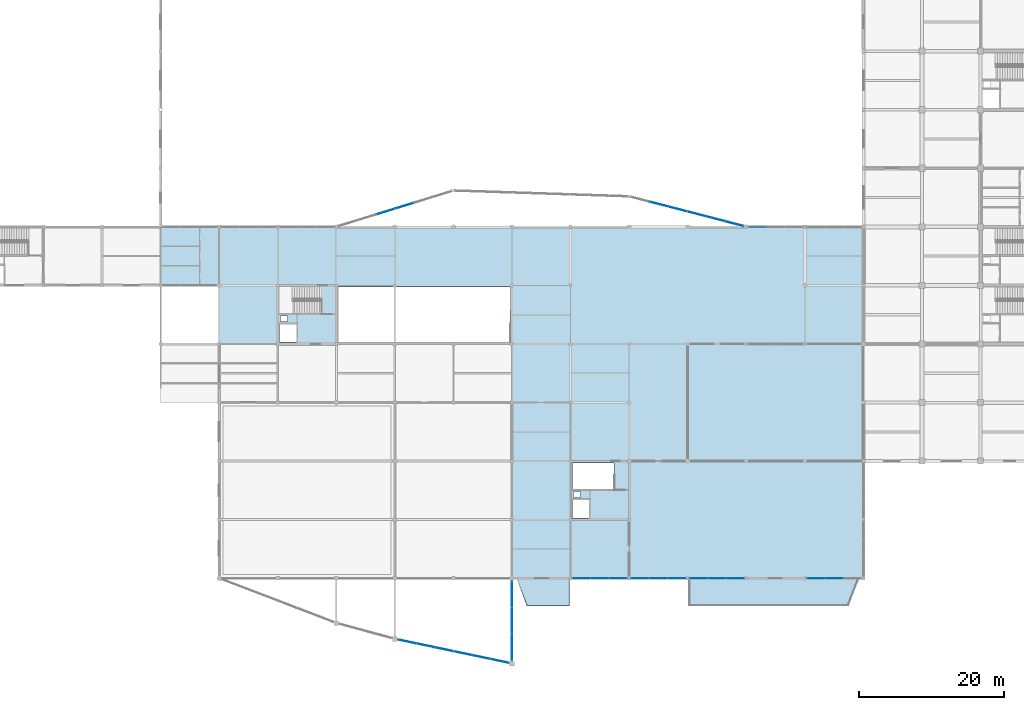
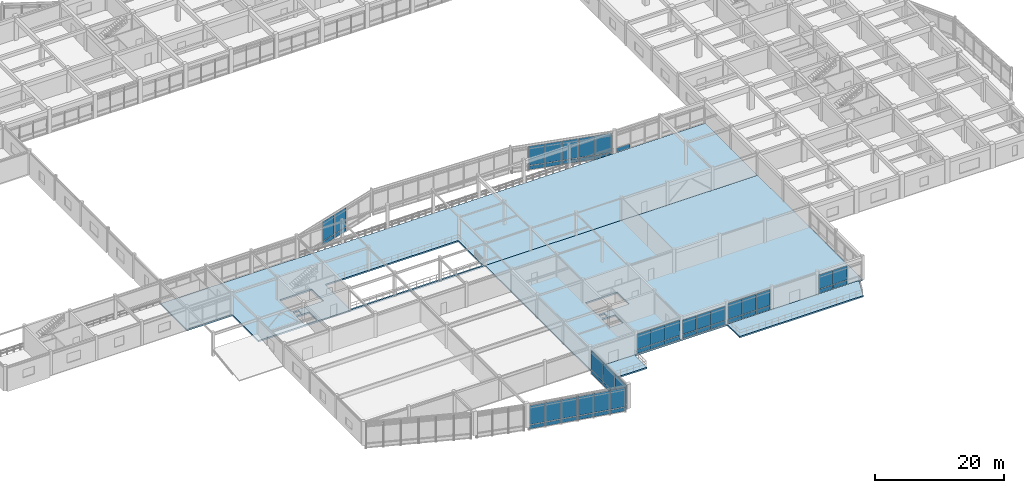
# One storey, part 51 of 93: 55 plates, 4 slabs, 12 elements without a shape of their own.
"""IFC4 building model written with IfcOpenShell, lengths in metres."""

from ifc_helpers import new_model, si_unit, direction, frame, origin, origin_2d, place, context, subcontext, project, spatial, polyline, rectangle, outline, extrude, material, layer, layer_set, type_object, element, aggregate, save


model = new_model("IFC4")

# Units and contexts
model_context = context("Model", 3, precision=1e-05, world=origin(), true_north=direction((0.0, 1.0)))
body_context = subcontext(model_context, "Body", "Model", "MODEL_VIEW")
ifc_project = project(units=[si_unit("LENGTHUNIT", "METRE"), si_unit("AREAUNIT", "SQUARE_METRE"), si_unit("VOLUMEUNIT", "CUBIC_METRE"), si_unit("PLANEANGLEUNIT", "RADIAN"), si_unit("MASSUNIT", "GRAM", prefix="KILO")], contexts=[model_context])

# Site, building, storey
site_placement = place(None, origin())
site = spatial("IfcSite", under=ifc_project, at=site_placement, CompositionType="ELEMENT")
building_placement = place(site_placement, origin())
building = spatial("IfcBuilding", under=site, at=building_placement, Name="Vaudrelin Polytechnic", CompositionType="ELEMENT")
storey_placement = place(building_placement, frame((0.0, 0.0, 5.10009765625)))
storey = spatial("IfcBuildingStorey", under=building, at=storey_placement, Name="L01", CompositionType="ELEMENT", Elevation=5.10009765625)

# Curtain wall, plates
ifc_material_1 = material(Name="Thermally broken anodised aluminium AA 6063-T6 and low-e triple glazing", Category="aluminium")
ifc_layer_1 = layer(ifc_material_1, 0.199951171875)
ifc_layer_set_1 = layer_set([ifc_layer_1], Name="Thermally broken anodised aluminium AA 6063-T6 and low-e triple glazing")
curtain_wall_type_1 = type_object("IfcCurtainWallType", Name="CW-CW-POR", PredefinedType="USERDEFINED", material=ifc_layer_set_1)
curtain_wall_1_placement = place(storey_placement, origin())
curtain_wall_1 = element("IfcCurtainWall", 1, at=curtain_wall_1_placement, inside=storey, type_object=curtain_wall_type_1, Name="Curtain wall L01 S_V3_01", ObjectType="CURTAIN WALL", PredefinedType="USERDEFINED")
ifc_material_2 = material(Name="Insulated ceramic-frit spandrel glass panel", Category="glass")
ifc_layer_2 = layer(ifc_material_2, 0.052001953125)
ifc_layer_set_2 = layer_set([ifc_layer_2], Name="Insulated ceramic-frit spandrel glass panel")
plate_type_1 = type_object("IfcPlateType", Name="PLT-GLZ-SPAND", PredefinedType="CURTAIN_PANEL", material=ifc_layer_set_2)
plate_1_placement = place(storey_placement, frame((90.5986328125, 0.0, 0.08984375), z_axis=(0.0, 0.0, 1.0), x_axis=(1.0, 0.0, 0.0)))
plate_1 = element("IfcPlate", 2, at=plate_1_placement, type_object=plate_type_1, Name="S_V3_01 spandrel panel 1", PredefinedType="CURTAIN_PANEL", context=body_context, shape_type="SweptSolid", body=[
    extrude(rectangle(XDim=2.451416015625, YDim=0.052001953125, at=origin_2d()), origin(), (0.0, 0.0, 1.0), 0.699951171875),
])
plate_2_placement = place(storey_placement, frame((93.14990234375, 0.0, 0.08984375), z_axis=(0.0, 0.0, 1.0), x_axis=(1.0, 0.0, 0.0)))
plate_2 = element("IfcPlate", 3, at=plate_2_placement, type_object=plate_type_1, Name="S_V3_01 spandrel panel 2", PredefinedType="CURTAIN_PANEL", context=body_context, shape_type="SweptSolid", body=[
    extrude(rectangle(XDim=2.451416015625, YDim=0.052001953125, at=origin_2d()), origin(), (0.0, 0.0, 1.0), 0.699951171875),
])
plate_3_placement = place(storey_placement, frame((95.701416015625, 0.0, 0.08984375), z_axis=(0.0, 0.0, 1.0), x_axis=(1.0, 0.0, 0.0)))
plate_3 = element("IfcPlate", 4, at=plate_3_placement, type_object=plate_type_1, Name="S_V3_01 spandrel panel 3", PredefinedType="CURTAIN_PANEL", context=body_context, shape_type="SweptSolid", body=[
    extrude(rectangle(XDim=2.451416015625, YDim=0.052001953125, at=origin_2d()), origin(), (0.0, 0.0, 1.0), 0.699951171875),
])

curtain_wall_2_placement = place(storey_placement, origin())
curtain_wall_2 = element("IfcCurtainWall", 5, at=curtain_wall_2_placement, inside=storey, type_object=curtain_wall_type_1, Name="Curtain wall L01 S_V3_02", ObjectType="CURTAIN WALL", PredefinedType="USERDEFINED")
plate_4_placement = place(storey_placement, frame((98.69873046875, 0.0, 0.08984375), z_axis=(0.0, 0.0, 1.0), x_axis=(1.0, 0.0, 0.0)))
plate_4 = element("IfcPlate", 6, at=plate_4_placement, type_object=plate_type_1, Name="S_V3_02 spandrel panel 1", PredefinedType="CURTAIN_PANEL", context=body_context, shape_type="SweptSolid", body=[
    extrude(rectangle(XDim=2.451416015625, YDim=0.052001953125, at=origin_2d()), origin(), (0.0, 0.0, 1.0), 0.699951171875),
])
plate_5_placement = place(storey_placement, frame((101.25, 0.0, 0.08984375), z_axis=(0.0, 0.0, 1.0), x_axis=(1.0, 0.0, 0.0)))
plate_5 = element("IfcPlate", 7, at=plate_5_placement, type_object=plate_type_1, Name="S_V3_02 spandrel panel 2", PredefinedType="CURTAIN_PANEL", context=body_context, shape_type="SweptSolid", body=[
    extrude(rectangle(XDim=2.451416015625, YDim=0.052001953125, at=origin_2d()), origin(), (0.0, 0.0, 1.0), 0.699951171875),
])
plate_6_placement = place(storey_placement, frame((103.80126953125, 0.0, 0.08984375), z_axis=(0.0, 0.0, 1.0), x_axis=(1.0, 0.0, 0.0)))
plate_6 = element("IfcPlate", 8, at=plate_6_placement, type_object=plate_type_1, Name="S_V3_02 spandrel panel 3", PredefinedType="CURTAIN_PANEL", context=body_context, shape_type="SweptSolid", body=[
    extrude(rectangle(XDim=2.451416015625, YDim=0.052001953125, at=origin_2d()), origin(), (0.0, 0.0, 1.0), 0.699951171875),
])

ifc_layer_3 = layer(ifc_material_1, 0.199951171875)
ifc_layer_set_3 = layer_set([ifc_layer_3], Name="Thermally broken anodised aluminium AA 6063-T6 and low-e triple glazing")
curtain_wall_type_2 = type_object("IfcCurtainWallType", Name="CW-CW-WG", PredefinedType="USERDEFINED", material=ifc_layer_set_3)
curtain_wall_3_placement = place(storey_placement, origin())
curtain_wall_3 = element("IfcCurtainWall", 9, at=curtain_wall_3_placement, inside=storey, type_object=curtain_wall_type_2, Name="Curtain wall L01 S_V3_03", ObjectType="CURTAIN WALL", PredefinedType="USERDEFINED")
plate_7_placement = place(storey_placement, frame((106.798583984375, 0.0, 0.08984375), z_axis=(0.0, 0.0, 1.0), x_axis=(1.0, 0.0, 0.0)))
plate_7 = element("IfcPlate", 10, at=plate_7_placement, type_object=plate_type_1, Name="S_V3_03 spandrel panel 1", PredefinedType="CURTAIN_PANEL", context=body_context, shape_type="SweptSolid", body=[
    extrude(rectangle(XDim=2.451416015625, YDim=0.052001953125, at=origin_2d()), origin(), (0.0, 0.0, 1.0), 0.699951171875),
])
plate_8_placement = place(storey_placement, frame((109.35009765625, 0.0, 0.08984375), z_axis=(0.0, 0.0, 1.0), x_axis=(1.0, 0.0, 0.0)))
plate_8 = element("IfcPlate", 11, at=plate_8_placement, type_object=plate_type_1, Name="S_V3_03 spandrel panel 2", PredefinedType="CURTAIN_PANEL", context=body_context, shape_type="SweptSolid", body=[
    extrude(rectangle(XDim=2.451416015625, YDim=0.052001953125, at=origin_2d()), origin(), (0.0, 0.0, 1.0), 0.699951171875),
])
plate_9_placement = place(storey_placement, frame((111.9013671875, 0.0, 0.08984375), z_axis=(0.0, 0.0, 1.0), x_axis=(1.0, 0.0, 0.0)))
plate_9 = element("IfcPlate", 12, at=plate_9_placement, type_object=plate_type_1, Name="S_V3_03 spandrel panel 3", PredefinedType="CURTAIN_PANEL", context=body_context, shape_type="SweptSolid", body=[
    extrude(rectangle(XDim=2.451416015625, YDim=0.052001953125, at=origin_2d()), origin(), (0.0, 0.0, 1.0), 0.699951171875),
])

curtain_wall_4_placement = place(storey_placement, origin())
curtain_wall_4 = element("IfcCurtainWall", 13, at=curtain_wall_4_placement, inside=storey, type_object=curtain_wall_type_2, Name="Curtain wall L01 S_V3_05", ObjectType="CURTAIN WALL", PredefinedType="USERDEFINED")
plate_10_placement = place(storey_placement, frame((123.061279296875, 0.0, 0.08984375), z_axis=(0.0, 0.0, 1.0), x_axis=(1.0, 0.0, 0.0)))
plate_10 = element("IfcPlate", 14, at=plate_10_placement, type_object=plate_type_1, Name="S_V3_05 spandrel panel 1", PredefinedType="CURTAIN_PANEL", context=body_context, shape_type="SweptSolid", body=[
    extrude(rectangle(XDim=2.42626953125, YDim=0.052001953125, at=origin_2d()), origin(), (0.0, 0.0, 1.0), 0.699951171875),
])
plate_11_placement = place(storey_placement, frame((125.58740234375, 0.0, 0.08984375), z_axis=(0.0, 0.0, 1.0), x_axis=(1.0, 0.0, 0.0)))
plate_11 = element("IfcPlate", 15, at=plate_11_placement, type_object=plate_type_1, Name="S_V3_05 spandrel panel 2", PredefinedType="CURTAIN_PANEL", context=body_context, shape_type="SweptSolid", body=[
    extrude(rectangle(XDim=2.42626953125, YDim=0.052001953125, at=origin_2d()), origin(), (0.0, 0.0, 1.0), 0.699951171875),
])

# Curtain wall, plate
curtain_wall_5_placement = place(storey_placement, origin())
curtain_wall_5 = element("IfcCurtainWall", 16, at=curtain_wall_5_placement, inside=storey, type_object=curtain_wall_type_2, Name="Curtain wall L01 CT_S_10", ObjectType="CURTAIN WALL", PredefinedType="USERDEFINED")
plate_12_placement = place(storey_placement, frame((114.961181640625, 48.60009765625, 0.08984375), z_axis=(0.0, 0.0, 1.0), x_axis=(1.0, 0.0, 0.0)))
plate_12 = element("IfcPlate", 17, at=plate_12_placement, type_object=plate_type_1, Name="CT_S_10 spandrel panel 1", PredefinedType="CURTAIN_PANEL", context=body_context, shape_type="SweptSolid", body=[
    extrude(rectangle(XDim=2.42626953125, YDim=0.052001953125, at=origin_2d()), origin(), (0.0, 0.0, 1.0), 0.699951171875),
])
aggregate(curtain_wall_5, [plate_12])

# Curtain wall, plates
curtain_wall_6_placement = place(storey_placement, origin())
curtain_wall_6 = element("IfcCurtainWall", 18, at=curtain_wall_6_placement, inside=storey, type_object=curtain_wall_type_2, Name="Curtain wall L01 V2P_3_0", ObjectType="CURTAIN WALL", PredefinedType="USERDEFINED")
plate_13_placement = place(storey_placement, frame((66.490234375, -8.754638671875, -0.5400390625), z_axis=(0.0, 0.0, 1.0), x_axis=(0.978678517459, -0.205398051265, 0.0)))
plate_13 = element("IfcPlate", 19, at=plate_13_placement, type_object=plate_type_1, Name="V2P_3_0 spandrel panel 1", PredefinedType="CURTAIN_PANEL", context=body_context, shape_type="SweptSolid", body=[
    extrude(rectangle(XDim=2.519775390625, YDim=0.052001953125, at=origin_2d()), origin(), (0.0, 0.0, 1.0), 0.699951171875),
])
plate_14_placement = place(storey_placement, frame((69.05419921875, -9.292724609375, -0.5400390625), z_axis=(0.0, 0.0, 1.0), x_axis=(0.978678517459, -0.205398051265, 0.0)))
plate_14 = element("IfcPlate", 20, at=plate_14_placement, type_object=plate_type_1, Name="V2P_3_0 spandrel panel 2", PredefinedType="CURTAIN_PANEL", context=body_context, shape_type="SweptSolid", body=[
    extrude(rectangle(XDim=2.519775390625, YDim=0.052001953125, at=origin_2d()), origin(), (0.0, 0.0, 1.0), 0.699951171875),
])
plate_15_placement = place(storey_placement, frame((71.617919921875, -9.830810546875, -0.5400390625), z_axis=(0.0, 0.0, 1.0), x_axis=(0.978678517459, -0.205398051265, 0.0)))
plate_15 = element("IfcPlate", 21, at=plate_15_placement, type_object=plate_type_1, Name="V2P_3_0 spandrel panel 3", PredefinedType="CURTAIN_PANEL", context=body_context, shape_type="SweptSolid", body=[
    extrude(rectangle(XDim=2.519775390625, YDim=0.052001953125, at=origin_2d()), origin(), (0.0, 0.0, 1.0), 0.699951171875),
])

curtain_wall_7_placement = place(storey_placement, origin())
curtain_wall_7 = element("IfcCurtainWall", 22, at=curtain_wall_7_placement, inside=storey, type_object=curtain_wall_type_2, Name="Curtain wall L01 V2P_3_1", ObjectType="CURTAIN WALL", PredefinedType="USERDEFINED")
plate_16_placement = place(storey_placement, frame((74.181884765625, -10.368896484375, -0.5400390625), z_axis=(0.0, 0.0, 1.0), x_axis=(0.978678517459, -0.205398051265, 0.0)))
plate_16 = element("IfcPlate", 23, at=plate_16_placement, type_object=plate_type_1, Name="V2P_3_1 spandrel panel 1", PredefinedType="CURTAIN_PANEL", context=body_context, shape_type="SweptSolid", body=[
    extrude(rectangle(XDim=2.519775390625, YDim=0.052001953125, at=origin_2d()), origin(), (0.0, 0.0, 1.0), 0.699951171875),
])
plate_17_placement = place(storey_placement, frame((76.745849609375, -10.906982421875, -0.5400390625), z_axis=(0.0, 0.0, 1.0), x_axis=(0.978678517459, -0.205398051265, 0.0)))
plate_17 = element("IfcPlate", 24, at=plate_17_placement, type_object=plate_type_1, Name="V2P_3_1 spandrel panel 2", PredefinedType="CURTAIN_PANEL", context=body_context, shape_type="SweptSolid", body=[
    extrude(rectangle(XDim=2.519775390625, YDim=0.052001953125, at=origin_2d()), origin(), (0.0, 0.0, 1.0), 0.699951171875),
])
plate_18_placement = place(storey_placement, frame((79.309814453125, -11.4453125, -0.5400390625), z_axis=(0.0, 0.0, 1.0), x_axis=(0.978678517459, -0.205398051265, 0.0)))
plate_18 = element("IfcPlate", 25, at=plate_18_placement, type_object=plate_type_1, Name="V2P_3_1 spandrel panel 3", PredefinedType="CURTAIN_PANEL", context=body_context, shape_type="SweptSolid", body=[
    extrude(rectangle(XDim=2.519775390625, YDim=0.052001953125, at=origin_2d()), origin(), (0.0, 0.0, 1.0), 0.699951171875),
])

curtain_wall_8_placement = place(storey_placement, origin())
curtain_wall_8 = element("IfcCurtainWall", 26, at=curtain_wall_8_placement, inside=storey, type_object=curtain_wall_type_2, Name="Curtain wall L01 V2P_4_0", ObjectType="CURTAIN WALL", PredefinedType="USERDEFINED")
plate_19_placement = place(storey_placement, frame((81.0, -9.555908203125, -0.5400390625), z_axis=(0.0, 0.0, 1.0), x_axis=(0.0, 1.0, 0.0)))
plate_19 = element("IfcPlate", 27, at=plate_19_placement, type_object=plate_type_1, Name="V2P_4_0 spandrel panel 1", PredefinedType="CURTAIN_PANEL", context=body_context, shape_type="SweptSolid", body=[
    extrude(rectangle(XDim=3.568359375, YDim=0.052001953125, at=origin_2d()), origin(), (0.0, 0.0, 1.0), 0.699951171875),
])
plate_20_placement = place(storey_placement, frame((81.0, -5.887451171875, -0.5400390625), z_axis=(0.0, 0.0, 1.0), x_axis=(0.0, 1.0, 0.0)))
plate_20 = element("IfcPlate", 28, at=plate_20_placement, type_object=plate_type_1, Name="V2P_4_0 spandrel panel 2", PredefinedType="CURTAIN_PANEL", context=body_context, shape_type="SweptSolid", body=[
    extrude(rectangle(XDim=3.568359375, YDim=0.052001953125, at=origin_2d()), origin(), (0.0, 0.0, 1.0), 0.699951171875),
])
plate_21_placement = place(storey_placement, frame((81.0, -2.21923828125, -0.5400390625), z_axis=(0.0, 0.0, 1.0), x_axis=(0.0, 1.0, 0.0)))
plate_21 = element("IfcPlate", 29, at=plate_21_placement, type_object=plate_type_1, Name="V2P_4_0 spandrel panel 3", PredefinedType="CURTAIN_PANEL", context=body_context, shape_type="SweptSolid", body=[
    extrude(rectangle(XDim=3.568359375, YDim=0.052001953125, at=origin_2d()), origin(), (0.0, 0.0, 1.0), 0.699951171875),
])

# Curtain wall, plate
curtain_wall_9_placement = place(storey_placement, origin())
curtain_wall_9 = element("IfcCurtainWall", 30, at=curtain_wall_9_placement, inside=storey, type_object=curtain_wall_type_2, Name="Curtain wall L01 CT_OR1_1_0", ObjectType="CURTAIN WALL", PredefinedType="USERDEFINED")
plate_22_placement = place(storey_placement, frame((63.53125, 50.70849609375, -0.5400390625), z_axis=(0.0, 0.0, 1.0), x_axis=(0.955523502988, 0.294914962723, 0.0)))
plate_22 = element("IfcPlate", 31, at=plate_22_placement, type_object=plate_type_1, Name="CT_OR1_1_0 spandrel panel 3", PredefinedType="CURTAIN_PANEL", context=body_context, shape_type="SweptSolid", body=[
    extrude(rectangle(XDim=2.631591796875, YDim=0.052001953125, at=origin_2d()), origin(), (0.0, 0.0, 1.0), 0.699951171875),
])

curtain_wall_10_placement = place(storey_placement, origin())
curtain_wall_10 = element("IfcCurtainWall", 32, at=curtain_wall_10_placement, inside=storey, type_object=curtain_wall_type_2, Name="Curtain wall L01 CT_OR1_1_1", ObjectType="CURTAIN WALL", PredefinedType="USERDEFINED")
plate_23_placement = place(storey_placement, frame((66.141357421875, 51.513916015625, -0.5400390625), z_axis=(0.0, 0.0, 1.0), x_axis=(0.955522441596, 0.294918401608, 0.0)))
plate_23 = element("IfcPlate", 33, at=plate_23_placement, type_object=plate_type_1, Name="CT_OR1_1_1 spandrel panel 1", PredefinedType="CURTAIN_PANEL", context=body_context, shape_type="SweptSolid", body=[
    extrude(rectangle(XDim=2.631591796875, YDim=0.052001953125, at=origin_2d()), origin(), (0.0, 0.0, 1.0), 0.699951171875),
])

# Curtain wall, plates
curtain_wall_11_placement = place(storey_placement, origin())
curtain_wall_11 = element("IfcCurtainWall", 34, at=curtain_wall_11_placement, inside=storey, type_object=curtain_wall_type_2, Name="Curtain wall L01 CT_OR1_3_0", ObjectType="CURTAIN WALL", PredefinedType="USERDEFINED")
plate_24_placement = place(storey_placement, frame((101.33056640625, 51.72900390625, -0.5400390625), z_axis=(0.0, 0.0, 1.0), x_axis=(0.967996674598, -0.250963021115, 0.0)))
plate_24 = element("IfcPlate", 35, at=plate_24_placement, type_object=plate_type_1, Name="CT_OR1_3_0 spandrel panel 2", PredefinedType="CURTAIN_PANEL", context=body_context, shape_type="SweptSolid", body=[
    extrude(rectangle(XDim=2.5830078125, YDim=0.052001953125, at=origin_2d()), origin(), (0.0, 0.0, 1.0), 0.699951171875),
])
plate_25_placement = place(storey_placement, frame((103.927490234375, 51.055908203125, -0.5400390625), z_axis=(0.0, 0.0, 1.0), x_axis=(0.967996674598, -0.250963021115, 0.0)))
plate_25 = element("IfcPlate", 36, at=plate_25_placement, type_object=plate_type_1, Name="CT_OR1_3_0 spandrel panel 3", PredefinedType="CURTAIN_PANEL", context=body_context, shape_type="SweptSolid", body=[
    extrude(rectangle(XDim=2.5830078125, YDim=0.052001953125, at=origin_2d()), origin(), (0.0, 0.0, 1.0), 0.699951171875),
])

curtain_wall_12_placement = place(storey_placement, origin())
curtain_wall_12 = element("IfcCurtainWall", 37, at=curtain_wall_12_placement, inside=storey, type_object=curtain_wall_type_2, Name="Curtain wall L01 CT_OR1_3_1", ObjectType="CURTAIN WALL", PredefinedType="USERDEFINED")
plate_26_placement = place(storey_placement, frame((106.52490234375, 50.38232421875, -0.5400390625), z_axis=(0.0, 0.0, 1.0), x_axis=(0.967997457073, -0.250960002989, 0.0)))
plate_26 = element("IfcPlate", 38, at=plate_26_placement, type_object=plate_type_1, Name="CT_OR1_3_1 spandrel panel 1", PredefinedType="CURTAIN_PANEL", context=body_context, shape_type="SweptSolid", body=[
    extrude(rectangle(XDim=2.5830078125, YDim=0.052001953125, at=origin_2d()), origin(), (0.0, 0.0, 1.0), 0.699951171875),
])
plate_27_placement = place(storey_placement, frame((109.121826171875, 49.708984375, -0.5400390625), z_axis=(0.0, 0.0, 1.0), x_axis=(0.967997457073, -0.250960002989, 0.0)))
plate_27 = element("IfcPlate", 39, at=plate_27_placement, type_object=plate_type_1, Name="CT_OR1_3_1 spandrel panel 2", PredefinedType="CURTAIN_PANEL", context=body_context, shape_type="SweptSolid", body=[
    extrude(rectangle(XDim=2.5830078125, YDim=0.052001953125, at=origin_2d()), origin(), (0.0, 0.0, 1.0), 0.699951171875),
])
plate_28_placement = place(storey_placement, frame((111.718994140625, 49.035888671875, -0.5400390625), z_axis=(0.0, 0.0, 1.0), x_axis=(0.967997457073, -0.250960002989, 0.0)))
plate_28 = element("IfcPlate", 40, at=plate_28_placement, type_object=plate_type_1, Name="CT_OR1_3_1 spandrel panel 3", PredefinedType="CURTAIN_PANEL", context=body_context, shape_type="SweptSolid", body=[
    extrude(rectangle(XDim=2.5830078125, YDim=0.052001953125, at=origin_2d()), origin(), (0.0, 0.0, 1.0), 0.699951171875),
])

# Plate
ifc_material_3 = material(Name="Triple low-e argon insulated glazing unit", Category="glass")
ifc_layer_4 = layer(ifc_material_3, 0.0439453125)
ifc_layer_set_4 = layer_set([ifc_layer_4], Name="Triple low-e argon insulated glazing unit")
plate_type_2 = type_object("IfcPlateType", Name="PLT-GLZ-TRIPLE", PredefinedType="CURTAIN_PANEL", material=ifc_layer_set_4)
plate_29_placement = place(storey_placement, frame((90.5986328125, 0.0, 0.89990234375), z_axis=(0.0, 0.0, 1.0), x_axis=(1.0, 0.0, 0.0)))
plate_29 = element("IfcPlate", 41, at=plate_29_placement, type_object=plate_type_2, Name="S_V3_01 vision panel 1", PredefinedType="CURTAIN_PANEL", context=body_context, shape_type="SweptSolid", body=[
    extrude(rectangle(XDim=2.451416015625, YDim=0.0439453125, at=origin_2d()), origin(), (0.0, 0.0, 1.0), 2.85205078125),
])

plate_30_placement = place(storey_placement, frame((93.14990234375, 0.0, 0.89990234375), z_axis=(0.0, 0.0, 1.0), x_axis=(1.0, 0.0, 0.0)))
plate_30 = element("IfcPlate", 42, at=plate_30_placement, type_object=plate_type_2, Name="S_V3_01 vision panel 2", PredefinedType="CURTAIN_PANEL", context=body_context, shape_type="SweptSolid", body=[
    extrude(rectangle(XDim=2.451416015625, YDim=0.0439453125, at=origin_2d()), origin(), (0.0, 0.0, 1.0), 2.85205078125),
])

plate_31_placement = place(storey_placement, frame((95.701416015625, 0.0, 0.89990234375), z_axis=(0.0, 0.0, 1.0), x_axis=(1.0, 0.0, 0.0)))
plate_31 = element("IfcPlate", 43, at=plate_31_placement, type_object=plate_type_2, Name="S_V3_01 vision panel 3", PredefinedType="CURTAIN_PANEL", context=body_context, shape_type="SweptSolid", body=[
    extrude(rectangle(XDim=2.451416015625, YDim=0.0439453125, at=origin_2d()), origin(), (0.0, 0.0, 1.0), 2.85205078125),
])

aggregate(curtain_wall_1, [plate_1, plate_29, plate_2, plate_30, plate_3, plate_31])

plate_32_placement = place(storey_placement, frame((98.69873046875, 0.0, 0.89990234375), z_axis=(0.0, 0.0, 1.0), x_axis=(1.0, 0.0, 0.0)))
plate_32 = element("IfcPlate", 44, at=plate_32_placement, type_object=plate_type_2, Name="S_V3_02 vision panel 1", PredefinedType="CURTAIN_PANEL", context=body_context, shape_type="SweptSolid", body=[
    extrude(rectangle(XDim=2.451416015625, YDim=0.0439453125, at=origin_2d()), origin(), (0.0, 0.0, 1.0), 2.662109375),
])

plate_33_placement = place(storey_placement, frame((101.25, 0.0, 0.89990234375), z_axis=(0.0, 0.0, 1.0), x_axis=(1.0, 0.0, 0.0)))
plate_33 = element("IfcPlate", 45, at=plate_33_placement, type_object=plate_type_2, Name="S_V3_02 vision panel 2", PredefinedType="CURTAIN_PANEL", context=body_context, shape_type="SweptSolid", body=[
    extrude(rectangle(XDim=2.451416015625, YDim=0.0439453125, at=origin_2d()), origin(), (0.0, 0.0, 1.0), 2.662109375),
])

plate_34_placement = place(storey_placement, frame((103.80126953125, 0.0, 0.89990234375), z_axis=(0.0, 0.0, 1.0), x_axis=(1.0, 0.0, 0.0)))
plate_34 = element("IfcPlate", 46, at=plate_34_placement, type_object=plate_type_2, Name="S_V3_02 vision panel 3", PredefinedType="CURTAIN_PANEL", context=body_context, shape_type="SweptSolid", body=[
    extrude(rectangle(XDim=2.451416015625, YDim=0.0439453125, at=origin_2d()), origin(), (0.0, 0.0, 1.0), 2.662109375),
])

aggregate(curtain_wall_2, [plate_4, plate_32, plate_5, plate_33, plate_6, plate_34])

plate_35_placement = place(storey_placement, frame((106.798583984375, 0.0, 0.89990234375), z_axis=(0.0, 0.0, 1.0), x_axis=(1.0, 0.0, 0.0)))
plate_35 = element("IfcPlate", 47, at=plate_35_placement, type_object=plate_type_2, Name="S_V3_03 vision panel 1", PredefinedType="CURTAIN_PANEL", context=body_context, shape_type="SweptSolid", body=[
    extrude(rectangle(XDim=2.451416015625, YDim=0.0439453125, at=origin_2d()), origin(), (0.0, 0.0, 1.0), 2.9541015625),
])

plate_36_placement = place(storey_placement, frame((109.35009765625, 0.0, 0.89990234375), z_axis=(0.0, 0.0, 1.0), x_axis=(1.0, 0.0, 0.0)))
plate_36 = element("IfcPlate", 48, at=plate_36_placement, type_object=plate_type_2, Name="S_V3_03 vision panel 2", PredefinedType="CURTAIN_PANEL", context=body_context, shape_type="SweptSolid", body=[
    extrude(rectangle(XDim=2.451416015625, YDim=0.0439453125, at=origin_2d()), origin(), (0.0, 0.0, 1.0), 2.9541015625),
])

plate_37_placement = place(storey_placement, frame((111.9013671875, 0.0, 0.89990234375), z_axis=(0.0, 0.0, 1.0), x_axis=(1.0, 0.0, 0.0)))
plate_37 = element("IfcPlate", 49, at=plate_37_placement, type_object=plate_type_2, Name="S_V3_03 vision panel 3", PredefinedType="CURTAIN_PANEL", context=body_context, shape_type="SweptSolid", body=[
    extrude(rectangle(XDim=2.451416015625, YDim=0.0439453125, at=origin_2d()), origin(), (0.0, 0.0, 1.0), 2.9541015625),
])

aggregate(curtain_wall_3, [plate_7, plate_35, plate_8, plate_36, plate_9, plate_37])

plate_38_placement = place(storey_placement, frame((123.061279296875, 0.0, 0.89990234375), z_axis=(0.0, 0.0, 1.0), x_axis=(1.0, 0.0, 0.0)))
plate_38 = element("IfcPlate", 50, at=plate_38_placement, type_object=plate_type_2, Name="S_V3_05 vision panel 1", PredefinedType="CURTAIN_PANEL", context=body_context, shape_type="SweptSolid", body=[
    extrude(rectangle(XDim=2.42626953125, YDim=0.0439453125, at=origin_2d()), origin(), (0.0, 0.0, 1.0), 2.662109375),
])

plate_39_placement = place(storey_placement, frame((125.58740234375, 0.0, 0.89990234375), z_axis=(0.0, 0.0, 1.0), x_axis=(1.0, 0.0, 0.0)))
plate_39 = element("IfcPlate", 51, at=plate_39_placement, type_object=plate_type_2, Name="S_V3_05 vision panel 2", PredefinedType="CURTAIN_PANEL", context=body_context, shape_type="SweptSolid", body=[
    extrude(rectangle(XDim=2.42626953125, YDim=0.0439453125, at=origin_2d()), origin(), (0.0, 0.0, 1.0), 2.662109375),
])

aggregate(curtain_wall_4, [plate_10, plate_38, plate_11, plate_39])

plate_40_placement = place(storey_placement, frame((66.490234375, -8.754638671875, 0.27001953125), z_axis=(0.0, 0.0, 1.0), x_axis=(0.978678517459, -0.205398051265, 0.0)))
plate_40 = element("IfcPlate", 52, at=plate_40_placement, type_object=plate_type_2, Name="V2P_3_0 vision panel 1", PredefinedType="CURTAIN_PANEL", context=body_context, shape_type="SweptSolid", body=[
    extrude(rectangle(XDim=2.519775390625, YDim=0.0439453125, at=origin_2d()), origin(), (0.0, 0.0, 1.0), 3.610107421875),
])

plate_41_placement = place(storey_placement, frame((69.05419921875, -9.292724609375, 0.27001953125), z_axis=(0.0, 0.0, 1.0), x_axis=(0.978678517459, -0.205398051265, 0.0)))
plate_41 = element("IfcPlate", 53, at=plate_41_placement, type_object=plate_type_2, Name="V2P_3_0 vision panel 2", PredefinedType="CURTAIN_PANEL", context=body_context, shape_type="SweptSolid", body=[
    extrude(rectangle(XDim=2.519775390625, YDim=0.0439453125, at=origin_2d()), origin(), (0.0, 0.0, 1.0), 3.610107421875),
])

plate_42_placement = place(storey_placement, frame((71.617919921875, -9.830810546875, 0.27001953125), z_axis=(0.0, 0.0, 1.0), x_axis=(0.978678517459, -0.205398051265, 0.0)))
plate_42 = element("IfcPlate", 54, at=plate_42_placement, type_object=plate_type_2, Name="V2P_3_0 vision panel 3", PredefinedType="CURTAIN_PANEL", context=body_context, shape_type="SweptSolid", body=[
    extrude(rectangle(XDim=2.519775390625, YDim=0.0439453125, at=origin_2d()), origin(), (0.0, 0.0, 1.0), 3.610107421875),
])

aggregate(curtain_wall_6, [plate_13, plate_40, plate_14, plate_41, plate_15, plate_42])

plate_43_placement = place(storey_placement, frame((74.181884765625, -10.368896484375, 0.27001953125), z_axis=(0.0, 0.0, 1.0), x_axis=(0.978678517459, -0.205398051265, 0.0)))
plate_43 = element("IfcPlate", 55, at=plate_43_placement, type_object=plate_type_2, Name="V2P_3_1 vision panel 1", PredefinedType="CURTAIN_PANEL", context=body_context, shape_type="SweptSolid", body=[
    extrude(rectangle(XDim=2.519775390625, YDim=0.0439453125, at=origin_2d()), origin(), (0.0, 0.0, 1.0), 3.610107421875),
])

plate_44_placement = place(storey_placement, frame((76.745849609375, -10.906982421875, 0.27001953125), z_axis=(0.0, 0.0, 1.0), x_axis=(0.978678517459, -0.205398051265, 0.0)))
plate_44 = element("IfcPlate", 56, at=plate_44_placement, type_object=plate_type_2, Name="V2P_3_1 vision panel 2", PredefinedType="CURTAIN_PANEL", context=body_context, shape_type="SweptSolid", body=[
    extrude(rectangle(XDim=2.519775390625, YDim=0.0439453125, at=origin_2d()), origin(), (0.0, 0.0, 1.0), 3.610107421875),
])

plate_45_placement = place(storey_placement, frame((79.309814453125, -11.4453125, 0.27001953125), z_axis=(0.0, 0.0, 1.0), x_axis=(0.978678517459, -0.205398051265, 0.0)))
plate_45 = element("IfcPlate", 57, at=plate_45_placement, type_object=plate_type_2, Name="V2P_3_1 vision panel 3", PredefinedType="CURTAIN_PANEL", context=body_context, shape_type="SweptSolid", body=[
    extrude(rectangle(XDim=2.519775390625, YDim=0.0439453125, at=origin_2d()), origin(), (0.0, 0.0, 1.0), 3.610107421875),
])

aggregate(curtain_wall_7, [plate_16, plate_43, plate_17, plate_44, plate_18, plate_45])

plate_46_placement = place(storey_placement, frame((81.0, -9.555908203125, 0.27001953125), z_axis=(0.0, 0.0, 1.0), x_axis=(0.0, 1.0, 0.0)))
plate_46 = element("IfcPlate", 58, at=plate_46_placement, type_object=plate_type_2, Name="V2P_4_0 vision panel 1", PredefinedType="CURTAIN_PANEL", context=body_context, shape_type="SweptSolid", body=[
    extrude(rectangle(XDim=3.568359375, YDim=0.0439453125, at=origin_2d()), origin(), (0.0, 0.0, 1.0), 3.610107421875),
])

plate_47_placement = place(storey_placement, frame((81.0, -5.887451171875, 0.27001953125), z_axis=(0.0, 0.0, 1.0), x_axis=(0.0, 1.0, 0.0)))
plate_47 = element("IfcPlate", 59, at=plate_47_placement, type_object=plate_type_2, Name="V2P_4_0 vision panel 2", PredefinedType="CURTAIN_PANEL", context=body_context, shape_type="SweptSolid", body=[
    extrude(rectangle(XDim=3.568359375, YDim=0.0439453125, at=origin_2d()), origin(), (0.0, 0.0, 1.0), 3.610107421875),
])

plate_48_placement = place(storey_placement, frame((81.0, -2.21923828125, 0.27001953125), z_axis=(0.0, 0.0, 1.0), x_axis=(0.0, 1.0, 0.0)))
plate_48 = element("IfcPlate", 60, at=plate_48_placement, type_object=plate_type_2, Name="V2P_4_0 vision panel 3", PredefinedType="CURTAIN_PANEL", context=body_context, shape_type="SweptSolid", body=[
    extrude(rectangle(XDim=3.568359375, YDim=0.0439453125, at=origin_2d()), origin(), (0.0, 0.0, 1.0), 3.610107421875),
])

aggregate(curtain_wall_8, [plate_19, plate_46, plate_20, plate_47, plate_21, plate_48])

plate_49_placement = place(storey_placement, frame((63.53125, 50.70849609375, 0.27001953125), z_axis=(0.0, 0.0, 1.0), x_axis=(0.955523502988, 0.294914962723, 0.0)))
plate_49 = element("IfcPlate", 61, at=plate_49_placement, type_object=plate_type_2, Name="CT_OR1_1_0 vision panel 3", PredefinedType="CURTAIN_PANEL", context=body_context, shape_type="SweptSolid", body=[
    extrude(rectangle(XDim=2.631591796875, YDim=0.0439453125, at=origin_2d()), origin(), (0.0, 0.0, 1.0), 3.610107421875),
])

aggregate(curtain_wall_9, [plate_22, plate_49])

plate_50_placement = place(storey_placement, frame((66.141357421875, 51.513916015625, 0.27001953125), z_axis=(0.0, 0.0, 1.0), x_axis=(0.955522441596, 0.294918401608, 0.0)))
plate_50 = element("IfcPlate", 62, at=plate_50_placement, type_object=plate_type_2, Name="CT_OR1_1_1 vision panel 1", PredefinedType="CURTAIN_PANEL", context=body_context, shape_type="SweptSolid", body=[
    extrude(rectangle(XDim=2.631591796875, YDim=0.0439453125, at=origin_2d()), origin(), (0.0, 0.0, 1.0), 3.610107421875),
])

aggregate(curtain_wall_10, [plate_23, plate_50])

plate_51_placement = place(storey_placement, frame((101.33056640625, 51.72900390625, 0.27001953125), z_axis=(0.0, 0.0, 1.0), x_axis=(0.967996674598, -0.250963021115, 0.0)))
plate_51 = element("IfcPlate", 63, at=plate_51_placement, type_object=plate_type_2, Name="CT_OR1_3_0 vision panel 2", PredefinedType="CURTAIN_PANEL", context=body_context, shape_type="SweptSolid", body=[
    extrude(rectangle(XDim=2.5830078125, YDim=0.0439453125, at=origin_2d()), origin(), (0.0, 0.0, 1.0), 3.610107421875),
])

plate_52_placement = place(storey_placement, frame((103.927490234375, 51.055908203125, 0.27001953125), z_axis=(0.0, 0.0, 1.0), x_axis=(0.967996674598, -0.250963021115, 0.0)))
plate_52 = element("IfcPlate", 64, at=plate_52_placement, type_object=plate_type_2, Name="CT_OR1_3_0 vision panel 3", PredefinedType="CURTAIN_PANEL", context=body_context, shape_type="SweptSolid", body=[
    extrude(rectangle(XDim=2.5830078125, YDim=0.0439453125, at=origin_2d()), origin(), (0.0, 0.0, 1.0), 3.610107421875),
])

aggregate(curtain_wall_11, [plate_24, plate_51, plate_25, plate_52])

plate_53_placement = place(storey_placement, frame((106.52490234375, 50.38232421875, 0.27001953125), z_axis=(0.0, 0.0, 1.0), x_axis=(0.967997457073, -0.250960002989, 0.0)))
plate_53 = element("IfcPlate", 65, at=plate_53_placement, type_object=plate_type_2, Name="CT_OR1_3_1 vision panel 1", PredefinedType="CURTAIN_PANEL", context=body_context, shape_type="SweptSolid", body=[
    extrude(rectangle(XDim=2.5830078125, YDim=0.0439453125, at=origin_2d()), origin(), (0.0, 0.0, 1.0), 3.610107421875),
])

plate_54_placement = place(storey_placement, frame((109.121826171875, 49.708984375, 0.27001953125), z_axis=(0.0, 0.0, 1.0), x_axis=(0.967997457073, -0.250960002989, 0.0)))
plate_54 = element("IfcPlate", 66, at=plate_54_placement, type_object=plate_type_2, Name="CT_OR1_3_1 vision panel 2", PredefinedType="CURTAIN_PANEL", context=body_context, shape_type="SweptSolid", body=[
    extrude(rectangle(XDim=2.5830078125, YDim=0.0439453125, at=origin_2d()), origin(), (0.0, 0.0, 1.0), 3.610107421875),
])

plate_55_placement = place(storey_placement, frame((111.718994140625, 49.035888671875, 0.27001953125), z_axis=(0.0, 0.0, 1.0), x_axis=(0.967997457073, -0.250960002989, 0.0)))
plate_55 = element("IfcPlate", 67, at=plate_55_placement, type_object=plate_type_2, Name="CT_OR1_3_1 vision panel 3", PredefinedType="CURTAIN_PANEL", context=body_context, shape_type="SweptSolid", body=[
    extrude(rectangle(XDim=2.5830078125, YDim=0.0439453125, at=origin_2d()), origin(), (0.0, 0.0, 1.0), 3.610107421875),
])

aggregate(curtain_wall_12, [plate_26, plate_53, plate_27, plate_54, plate_28, plate_55])

# Slabs
ifc_material_4 = material(Name="Concrete 35 MPa", Category="concrete")
ifc_layer_5 = layer(ifc_material_4, 0.280029296875)
ifc_layer_set_5 = layer_set([ifc_layer_5], Name="Concrete 35 MPa")
slab_type = type_object("IfcSlabType", Name="SLB-SL-F280", PredefinedType="FLOOR", material=ifc_layer_set_5)
slab_1_placement = place(storey_placement, frame((0.0, 0.0, -0.280029296875)))
element("IfcSlab", 68, at=slab_1_placement, inside=storey, type_object=slab_type, Name="L01 floor slab V6-BRG", PredefinedType="FLOOR", context=body_context, shape_type="SweptSolid", body=[
    extrude(outline(polyline([(32.39990234375, 40.5), (40.5, 40.5), (40.5, 32.39990234375), (129.60009765625, 32.39990234375), (129.60009765625, 48.60009765625), (32.39990234375, 48.60009765625), (32.39990234375, 40.5)]), holes=[polyline([(48.85009765625, 36.610107421875), (54.60009765625, 36.610107421875), (54.60009765625, 40.25), (48.85009765625, 40.25), (48.85009765625, 36.610107421875)]), polyline([(48.85009765625, 32.64990234375), (51.179931640625, 32.64990234375), (51.179931640625, 35.1298828125), (48.85009765625, 35.1298828125), (48.85009765625, 32.64990234375)]), polyline([(48.97998046875, 35.47998046875), (49.97998046875, 35.47998046875), (49.97998046875, 36.280029296875), (48.97998046875, 36.280029296875), (48.97998046875, 35.47998046875)]), polyline([(57.0, 32.699951171875), (80.699951171875, 32.699951171875), (80.699951171875, 40.300048828125), (57.0, 40.300048828125), (57.0, 32.699951171875)])]), origin(), (0.0, 0.0, 1.0), 0.280029296875),
])
slab_2_placement = place(storey_placement, frame((0.0, 0.0, -0.280029296875)))
element("IfcSlab", 69, at=slab_2_placement, inside=storey, type_object=slab_type, Name="L01 floor slab V3-UP", PredefinedType="FLOOR", context=body_context, shape_type="SweptSolid", body=[
    extrude(outline(polyline([(81.0, 0.0), (129.60009765625, 0.0), (129.60009765625, 32.39990234375), (81.0, 32.39990234375), (81.0, 0.0)]), holes=[polyline([(89.35009765625, 12.31005859375), (95.10009765625, 12.31005859375), (95.10009765625, 15.949951171875), (89.35009765625, 15.949951171875), (89.35009765625, 12.31005859375)]), polyline([(89.35009765625, 8.35009765625), (91.679931640625, 8.35009765625), (91.679931640625, 10.830078125), (89.35009765625, 10.830078125), (89.35009765625, 8.35009765625)]), polyline([(89.47998046875, 11.179931640625), (90.47998046875, 11.179931640625), (90.47998046875, 11.97998046875), (89.47998046875, 11.97998046875), (89.47998046875, 11.179931640625)])]), origin(), (0.0, 0.0, 1.0), 0.280029296875),
])
slab_3_placement = place(storey_placement, frame((0.0, 0.0, -0.280029296875)))
element("IfcSlab", 70, at=slab_3_placement, inside=storey, type_object=slab_type, Name="Refectory stepped green-hill lawn terrace WEST-2", PredefinedType="FLOOR", context=body_context, shape_type="SweptSolid", body=[
    extrude(outline(polyline([(83.050048828125, -3.85009765625), (88.949951171875, -3.85009765625), (88.949951171875, 0.0), (81.64990234375, 0.0), (83.050048828125, -3.85009765625)])), origin(), (0.0, 0.0, 1.0), 0.280029296875),
])
slab_4_placement = place(storey_placement, frame((0.0, 0.0, -0.280029296875)))
element("IfcSlab", 71, at=slab_4_placement, inside=storey, type_object=slab_type, Name="Refectory stepped green-hill lawn terrace EAST-2", PredefinedType="FLOOR", context=body_context, shape_type="SweptSolid", body=[
    extrude(outline(polyline([(105.449951171875, -3.85009765625), (127.550048828125, -3.85009765625), (128.949951171875, 0.0), (105.449951171875, 0.0), (105.449951171875, -3.85009765625)])), origin(), (0.0, 0.0, 1.0), 0.280029296875),
])

save(model, "model.ifc")
